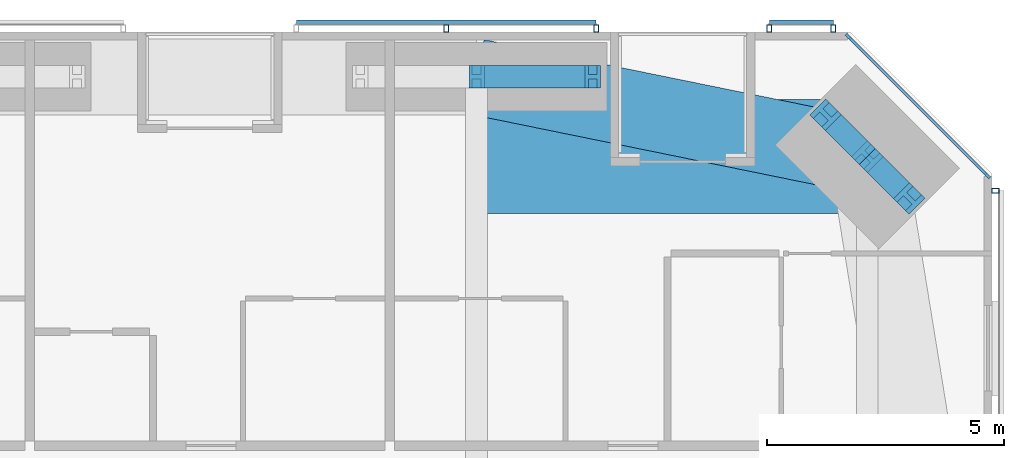
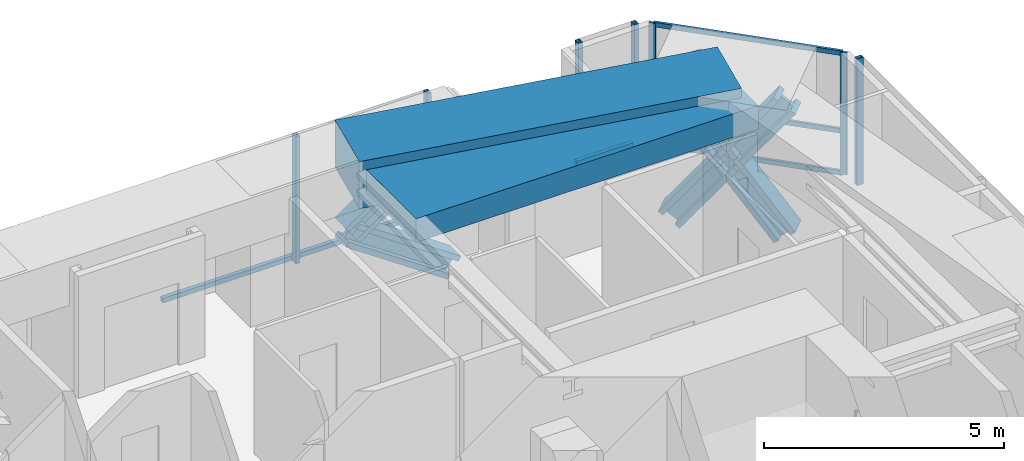
# One storey, part 15 of 25: 18 members, 2 beams, 4 elements without a shape of their own.
"""IFC4 building model written with IfcOpenShell, lengths in metres."""

from ifc_helpers import new_model, si_unit, direction, frame, origin, origin_2d, place, context, subcontext, project, spatial, rectangle, hollow_rectangle, i_section, extrude, material, material_profile, profile_set, type_object, element, aggregate, save


model = new_model("IFC4")

# Units and contexts
model_context = context("Model", 3, precision=1e-05, world=origin(), true_north=direction((0.0, 1.0)))
body_context = subcontext(model_context, "Body", "Model", "MODEL_VIEW")
ifc_project = project(units=[si_unit("LENGTHUNIT", "METRE"), si_unit("AREAUNIT", "SQUARE_METRE"), si_unit("VOLUMEUNIT", "CUBIC_METRE"), si_unit("PLANEANGLEUNIT", "RADIAN"), si_unit("MASSUNIT", "GRAM", prefix="KILO")], contexts=[model_context])

# Site, building, storey
site_placement = place(None, origin())
site = spatial("IfcSite", under=ifc_project, at=site_placement, CompositionType="ELEMENT")
building_placement = place(site_placement, origin())
building = spatial("IfcBuilding", under=site, at=building_placement, Name="Jalousie Tower", CompositionType="ELEMENT")
storey_placement = place(building_placement, frame((0.0, 0.0, 101.5)))
storey = spatial("IfcBuildingStorey", under=building, at=storey_placement, Name="L27", CompositionType="ELEMENT", Elevation=101.5)

# Curtain wall, members
ifc_material_1 = material(Name="Aluminium curtain wall", Category="aluminium")
curtain_wall_type_1 = type_object("IfcCurtainWallType", Name="CORNER WINDOW WALL", PredefinedType="USERDEFINED", material=ifc_material_1)
curtain_wall_1_placement = place(storey_placement, origin())
curtain_wall_1 = element("IfcCurtainWall", 1, at=curtain_wall_1_placement, inside=storey, type_object=curtain_wall_type_1, Name="Corner Window Wall L27 4", ObjectType="CORNER WINDOW WALL", PredefinedType="USERDEFINED")
ifc_material_2 = material(Name="Aluminium mullion", Category="aluminium")
ifc_material_profile_1 = material_profile(ifc_material_2, rectangle(XDim=0.06005859375, YDim=0.14990234375, at=origin_2d()), Name="MULLION 60x150")
ifc_profile_set_1 = profile_set([ifc_material_profile_1], Name="Aluminium mullion")
member_type_1 = type_object("IfcMemberType", Name="CORNER WINDOW WALL MULLION", PredefinedType="MULLION", material=ifc_profile_set_1)
member_1_placement = place(storey_placement, frame((49.391357421875, 34.969970703125, 0.0), z_axis=(0.0, 0.0, 1.0), x_axis=(-0.707106781187, -0.707106781187, 0.0)))
member_1 = element("IfcMember", 2, at=member_1_placement, type_object=member_type_1, Name="CW-C mullion 1", PredefinedType="MULLION", context=body_context, shape_type="SweptSolid", body=[
    extrude(rectangle(XDim=0.06005859375, YDim=0.14990234375, at=origin_2d()), origin(), (0.0, 0.0, 1.0), 3.110107421875),
])
member_2_placement = place(storey_placement, frame((46.469970703125, 37.891357421875, 0.0), z_axis=(0.0, 0.0, 1.0), x_axis=(-0.707106781187, -0.707106781187, 0.0)))
member_2 = element("IfcMember", 3, at=member_2_placement, type_object=member_type_1, Name="CW-C mullion 2", PredefinedType="MULLION", context=body_context, shape_type="SweptSolid", body=[
    extrude(rectangle(XDim=0.06005859375, YDim=0.14990234375, at=origin_2d()), origin(), (0.0, 0.0, 1.0), 3.110107421875),
])
ifc_material_3 = material(Name="Aluminium transom", Category="aluminium")
ifc_material_profile_2 = material_profile(ifc_material_3, rectangle(XDim=0.06005859375, YDim=0.1201171875, at=origin_2d()), Name="TRANSOM 60x120")
ifc_profile_set_2 = profile_set([ifc_material_profile_2], Name="Aluminium transom")
member_type_2 = type_object("IfcMemberType", Name="CORNER WINDOW WALL TRANSOM", PredefinedType="USERDEFINED", material=ifc_profile_set_2)
member_3_placement = place(storey_placement, frame((49.3701171875, 34.9912109375, 0.030029296875), z_axis=(-0.707106781187, 0.707106781187, 0.0), x_axis=(-0.707106781187, -0.707106781187, 0.0)))
member_3 = element("IfcMember", 4, at=member_3_placement, type_object=member_type_2, Name="CW-C transom 1.1", ObjectType="TRANSOM", PredefinedType="USERDEFINED", context=body_context, shape_type="SweptSolid", body=[
    extrude(rectangle(XDim=0.06005859375, YDim=0.1201171875, at=origin_2d()), origin(), (0.0, 0.0, 1.0), 4.0712890625),
])
member_4_placement = place(storey_placement, frame((49.3701171875, 34.9912109375, 1.10009765625), z_axis=(-0.707106781187, 0.707106781187, 0.0), x_axis=(-0.707106781187, -0.707106781187, 0.0)))
member_4 = element("IfcMember", 5, at=member_4_placement, type_object=member_type_2, Name="CW-C transom 1.2", ObjectType="TRANSOM", PredefinedType="USERDEFINED", context=body_context, shape_type="SweptSolid", body=[
    extrude(rectangle(XDim=0.06005859375, YDim=0.1201171875, at=origin_2d()), origin(), (0.0, 0.0, 1.0), 4.0712890625),
])
member_5_placement = place(storey_placement, frame((49.3701171875, 34.9912109375, 3.080078125), z_axis=(-0.707106781187, 0.707106781187, 0.0), x_axis=(-0.707106781187, -0.707106781187, 0.0)))
member_5 = element("IfcMember", 6, at=member_5_placement, type_object=member_type_2, Name="CW-C transom 1.3", ObjectType="TRANSOM", PredefinedType="USERDEFINED", context=body_context, shape_type="SweptSolid", body=[
    extrude(rectangle(XDim=0.06005859375, YDim=0.1201171875, at=origin_2d()), origin(), (0.0, 0.0, 1.0), 4.0712890625),
])
aggregate(curtain_wall_1, [member_1, member_2, member_3, member_4, member_5])

# Members
ifc_material_4 = material(Name="Steel ASTM A992 Grade 50", Category="steel")
ifc_material_profile_3 = material_profile(ifc_material_4, i_section(OverallWidth=0.472412109375, OverallDepth=0.5791015625, WebThickness=0.094970703125, FlangeThickness=0.1298828125, at=origin_2d()), Name="W14X808")
ifc_profile_set_3 = profile_set([ifc_material_profile_3], Name="Steel ASTM A992 Grade 50")
member_type_3 = type_object("IfcMemberType", Name="PERIMETER BRACE W14X808", PredefinedType="BRACE", material=ifc_profile_set_3)
for number, where, z_axis, x_axis, name in (
    (7, (47.75244140625, 34.484619140625, -0.60009765625), (-0.422851718556, 0.422968528423, 0.801432497518), (-0.707204427637, -0.70700912125, 0.0), "Perimeter brace 08 L27 part 1"),
    (8, (46.86865234375, 35.36865234375, 1.074951171875), (-0.422968528423, 0.422851718556, 0.801432497518), (-0.70700912125, -0.707204427637, 0.0), "Perimeter brace 08 L27 part 2"),
    (9, (45.984619140625, 36.25244140625, -0.60009765625), (0.422968528423, -0.422851718556, 0.801432497518), (0.70700912125, 0.707204427637, 0.0), "Perimeter brace 08 L27 part 3"),
    (10, (46.86865234375, 35.36865234375, 1.074951171875), (0.422851718556, -0.422968528423, 0.801432497518), (0.707204427637, 0.70700912125, 0.0), "Perimeter brace 08 L27 part 4"),
):
    element("IfcMember", number, at=place(storey_placement, frame(where, z_axis=z_axis, x_axis=x_axis)), inside=storey, type_object=member_type_3, Name=name, PredefinedType="BRACE", context=body_context, shape_type="SweptSolid", body=[
        extrude(i_section(OverallWidth=0.472412109375, OverallDepth=0.5791015625, WebThickness=0.094970703125, FlangeThickness=0.1298828125, at=origin_2d()), origin(), (0.0, 0.0, 1.0), 2.090087890625),
    ])
for number, where, z_axis, x_axis, name in (
    (11, (38.625, 37.050048828125, 1.074951171875), (0.825500916831, 0.0, 0.564400776321), (0.0, 1.0, 0.0), "Perimeter brace 09 L27 part 2"),
    (12, (41.074951171875, 37.050048828125, -0.60009765625), (-0.825500916831, 0.0, 0.564400776321), (0.0, -1.0, 0.0), "Perimeter brace 09 L27 part 3"),
):
    element("IfcMember", number, at=place(storey_placement, frame(where, z_axis=z_axis, x_axis=x_axis)), inside=storey, type_object=member_type_3, Name=name, PredefinedType="BRACE", context=body_context, shape_type="SweptSolid", body=[
        extrude(i_section(OverallWidth=0.472412109375, OverallDepth=0.5791015625, WebThickness=0.094970703125, FlangeThickness=0.1298828125, at=origin_2d()), origin(), (0.0, 0.0, 1.0), 2.9677734375),
    ])

# Beams
ifc_material_5 = material(Name="Concrete f'c 40 MPa", Category="concrete")
ifc_material_profile_4 = material_profile(ifc_material_5, rectangle(XDim=1.60009765625, YDim=1.199951171875, at=origin_2d()), Name="RC 1600x1200")
ifc_profile_set_4 = profile_set([ifc_material_profile_4], Name="Concrete f'c 40 MPa")
beam_type_1 = type_object("IfcBeamType", Name="RC BEAM 1600x1200", PredefinedType="BEAM", material=ifc_profile_set_4)
beam_1_placement = place(storey_placement, frame((46.86865234375, 35.36865234375, 2.75), z_axis=(-0.97982690954, 0.199848010602, 0.0), x_axis=(-0.199848010602, -0.97982690954, 0.0)))
element("IfcBeam", 13, at=beam_1_placement, inside=storey, type_object=beam_type_1, Name="Edge band beam 08-09 under L28", PredefinedType="BEAM", context=body_context, shape_type="SweptSolid", body=[
    extrude(rectangle(XDim=1.60009765625, YDim=1.199951171875, at=origin_2d()), origin(), (0.0, 0.0, 1.0), 8.413330078125),
])
ifc_material_6 = material(Name="Concrete f'c 40 MPa", Category="concrete")
ifc_material_profile_5 = material_profile(ifc_material_6, rectangle(XDim=2.39990234375, YDim=0.60009765625, at=origin_2d()), Name="RC 2400x600")
ifc_profile_set_5 = profile_set([ifc_material_profile_5], Name="Concrete f'c 40 MPa")
beam_type_2 = type_object("IfcBeamType", Name="RC BEAM 2400x600", PredefinedType="BEAM", material=ifc_profile_set_5)
beam_2_placement = place(storey_placement, frame((46.86865234375, 35.36865234375, 2.81005859375), z_axis=(-1.0, 0.0, 0.0), x_axis=(0.0, -1.0, 0.0)))
element("IfcBeam", 14, at=beam_2_placement, inside=storey, type_object=beam_type_2, Name="Floor band beam under L28", PredefinedType="BEAM", context=body_context, shape_type="SweptSolid", body=[
    extrude(rectangle(XDim=2.39990234375, YDim=0.60009765625, at=origin_2d()), origin(), (0.0, 0.0, 1.0), 8.24365234375),
])

# Curtain wall, member
ifc_material_7 = material(Name="Perforated aluminium sheet", Category="aluminium")
curtain_wall_type_2 = type_object("IfcCurtainWallType", Name="SOLAR SCREEN SS-1", PredefinedType="USERDEFINED", material=ifc_material_7)
curtain_wall_2_placement = place(storey_placement, origin())
curtain_wall_2 = element("IfcCurtainWall", 15, at=curtain_wall_2_placement, inside=storey, type_object=curtain_wall_type_2, Name="Solar screen L27", ObjectType="SOLAR SCREEN SS-1", PredefinedType="USERDEFINED")
ifc_material_8 = material(Name="Steel ASTM A500 Grade C", Category="steel")
ifc_material_profile_6 = material_profile(ifc_material_8, hollow_rectangle(XDim=0.1015625, YDim=0.15234375, WallThickness=0.00634765625, at=origin_2d()), Name="HSS6X4X1/4")
ifc_profile_set_6 = profile_set([ifc_material_profile_6], Name="Steel ASTM A500 Grade C")
member_type_4 = type_object("IfcMemberType", Name="SOLAR SCREEN SS-1 MULLION", PredefinedType="MULLION", material=ifc_profile_set_6)
member_6_placement = place(storey_placement, frame((49.5712890625, 34.648681640625, -0.1201171875), z_axis=(0.0, 0.0, 1.0), x_axis=(0.0, 1.0, 0.0)))
member_6 = element("IfcMember", 16, at=member_6_placement, type_object=member_type_4, Name="SS1 post 4", PredefinedType="MULLION", context=body_context, shape_type="SweptSolid", body=[
    extrude(hollow_rectangle(XDim=0.1015625, YDim=0.15234375, WallThickness=0.00634765625, at=origin_2d()), origin(), (0.0, 0.0, 1.0), 3.230224609375),
])
aggregate(curtain_wall_2, [member_6])

# Curtain wall, members
curtain_wall_3_placement = place(storey_placement, origin())
curtain_wall_3 = element("IfcCurtainWall", 17, at=curtain_wall_3_placement, inside=storey, type_object=curtain_wall_type_2, Name="Solar screen L27", ObjectType="SOLAR SCREEN SS-1", PredefinedType="USERDEFINED")
member_7_placement = place(storey_placement, frame((46.148681640625, 38.0712890625, -0.1201171875), z_axis=(0.0, 0.0, 1.0), x_axis=(-1.0, 0.0, 0.0)))
member_7 = element("IfcMember", 18, at=member_7_placement, type_object=member_type_4, Name="SS1 post 1", PredefinedType="MULLION", context=body_context, shape_type="SweptSolid", body=[
    extrude(hollow_rectangle(XDim=0.1015625, YDim=0.15234375, WallThickness=0.00634765625, at=origin_2d()), origin(), (0.0, 0.0, 1.0), 3.230224609375),
])
member_8_placement = place(storey_placement, frame((44.798583984375, 38.0712890625, -0.1201171875), z_axis=(0.0, 0.0, 1.0), x_axis=(-1.0, 0.0, 0.0)))
member_8 = element("IfcMember", 19, at=member_8_placement, type_object=member_type_4, Name="SS1 post 2", PredefinedType="MULLION", context=body_context, shape_type="SweptSolid", body=[
    extrude(hollow_rectangle(XDim=0.1015625, YDim=0.15234375, WallThickness=0.00634765625, at=origin_2d()), origin(), (0.0, 0.0, 1.0), 3.230224609375),
])

curtain_wall_4_placement = place(storey_placement, origin())
curtain_wall_4 = element("IfcCurtainWall", 20, at=curtain_wall_4_placement, inside=storey, type_object=curtain_wall_type_2, Name="Solar screen L27", ObjectType="SOLAR SCREEN SS-1", PredefinedType="USERDEFINED")
member_9_placement = place(storey_placement, frame((41.148681640625, 38.0712890625, -0.1201171875), z_axis=(0.0, 0.0, 1.0), x_axis=(-1.0, 0.0, 0.0)))
member_9 = element("IfcMember", 21, at=member_9_placement, type_object=member_type_4, Name="SS1 post 1", PredefinedType="MULLION", context=body_context, shape_type="SweptSolid", body=[
    extrude(hollow_rectangle(XDim=0.1015625, YDim=0.15234375, WallThickness=0.00634765625, at=origin_2d()), origin(), (0.0, 0.0, 1.0), 3.230224609375),
])
member_10_placement = place(storey_placement, frame((37.98681640625, 38.0712890625, -0.1201171875), z_axis=(0.0, 0.0, 1.0), x_axis=(-1.0, 0.0, 0.0)))
member_10 = element("IfcMember", 22, at=member_10_placement, type_object=member_type_4, Name="SS1 post 2", PredefinedType="MULLION", context=body_context, shape_type="SweptSolid", body=[
    extrude(hollow_rectangle(XDim=0.1015625, YDim=0.15234375, WallThickness=0.00634765625, at=origin_2d()), origin(), (0.0, 0.0, 1.0), 3.230224609375),
])

# Member
ifc_material_9 = material(Name="Extruded aluminium screen rail", Category="aluminium")
ifc_material_profile_7 = material_profile(ifc_material_9, rectangle(XDim=0.1015625, YDim=0.1201171875, at=origin_2d()), Name="RAIL 102x120")
ifc_profile_set_7 = profile_set([ifc_material_profile_7], Name="Extruded aluminium screen rail")
member_type_5 = type_object("IfcMemberType", Name="SOLAR SCREEN SS-1 TRANSOM", PredefinedType="USERDEFINED", material=ifc_profile_set_7)
member_11_placement = place(storey_placement, frame((46.148681640625, 38.1982421875, -0.06005859375), z_axis=(-1.0, 0.0, 0.0), x_axis=(0.0, -1.0, 0.0)))
member_11 = element("IfcMember", 23, at=member_11_placement, type_object=member_type_5, Name="SS1 rail", ObjectType="TRANSOM", PredefinedType="USERDEFINED", context=body_context, shape_type="SweptSolid", body=[
    extrude(rectangle(XDim=0.1015625, YDim=0.1201171875, at=origin_2d()), origin(), (0.0, 0.0, 1.0), 1.35009765625),
])

aggregate(curtain_wall_3, [member_7, member_8, member_11])

member_12_placement = place(storey_placement, frame((41.148681640625, 38.1982421875, -0.06005859375), z_axis=(-1.0, 0.0, 0.0), x_axis=(0.0, -1.0, 0.0)))
member_12 = element("IfcMember", 24, at=member_12_placement, type_object=member_type_5, Name="SS1 rail", ObjectType="TRANSOM", PredefinedType="USERDEFINED", context=body_context, shape_type="SweptSolid", body=[
    extrude(rectangle(XDim=0.1015625, YDim=0.1201171875, at=origin_2d()), origin(), (0.0, 0.0, 1.0), 6.32373046875),
])

aggregate(curtain_wall_4, [member_9, member_10, member_12])

save(model, "model.ifc")
